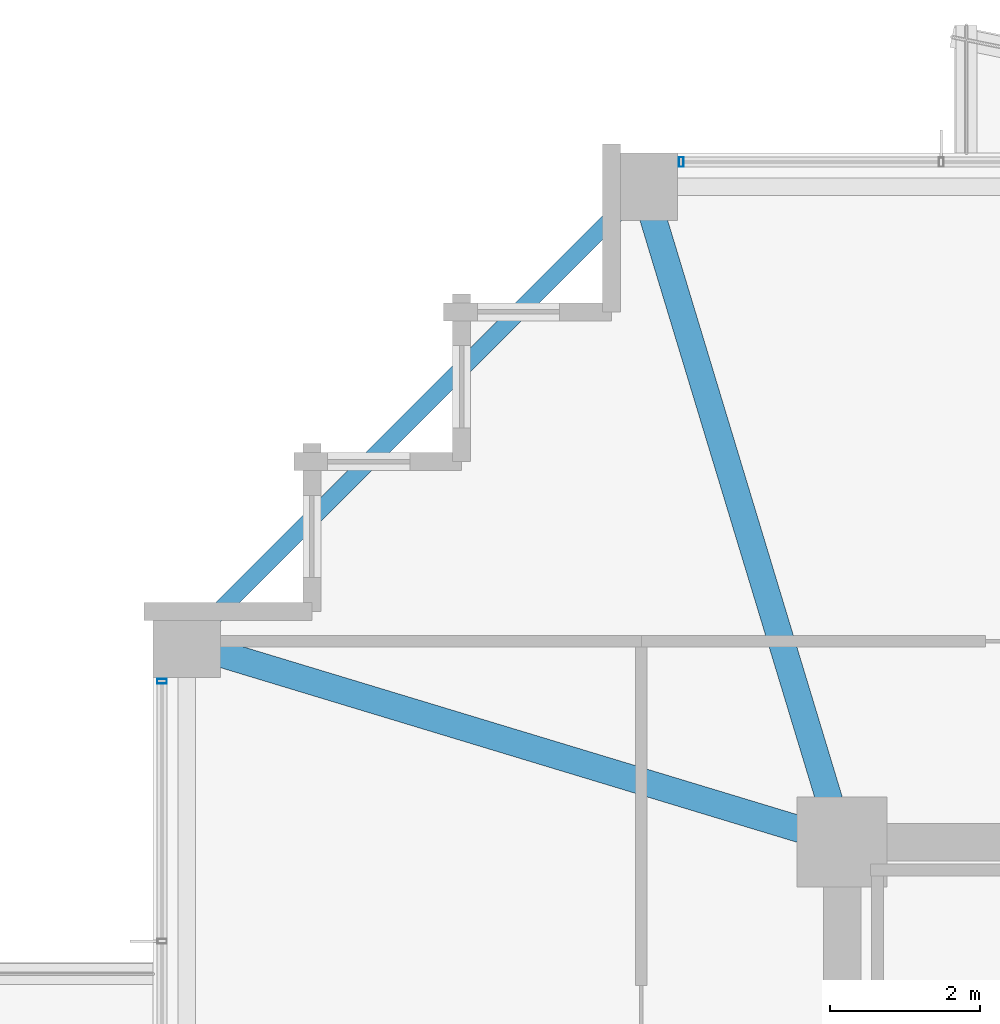
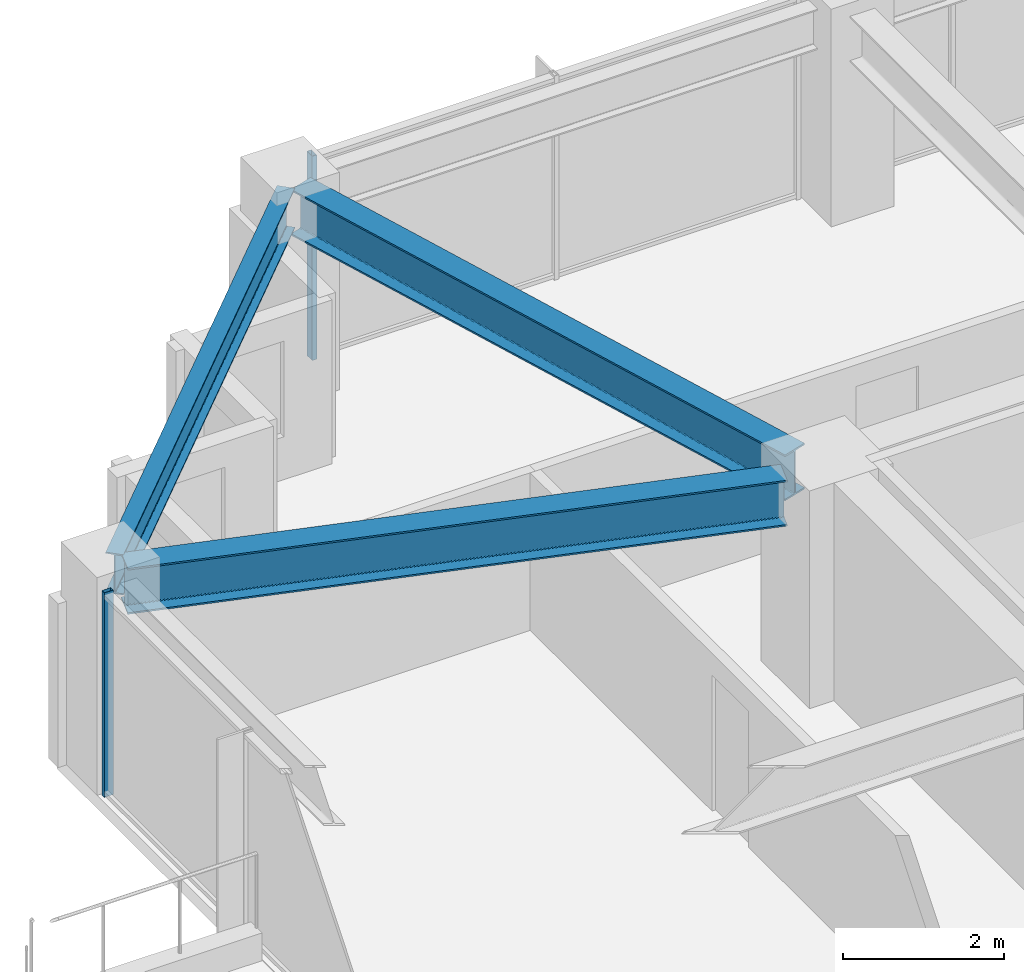
# One storey, part 16 of 34: 3 beams, 2 members, 2 elements without a shape of their own.
"""IFC4 building model written with IfcOpenShell, lengths in metres."""

from ifc_helpers import new_model, si_unit, direction, frame, origin, origin_2d, place, context, subcontext, project, spatial, hollow_rectangle, i_section, extrude, material, material_profile, profile_set, type_object, element, aggregate, save


model = new_model("IFC4")

# Units and contexts
model_context = context("Model", 3, precision=1e-05, world=origin(), true_north=direction((0.0, 1.0)))
body_context = subcontext(model_context, "Body", "Model", "MODEL_VIEW")
ifc_project = project(units=[si_unit("LENGTHUNIT", "METRE"), si_unit("AREAUNIT", "SQUARE_METRE"), si_unit("VOLUMEUNIT", "CUBIC_METRE"), si_unit("PLANEANGLEUNIT", "RADIAN"), si_unit("MASSUNIT", "GRAM", prefix="KILO")], contexts=[model_context])

# Site, building, storey
site_placement = place(None, origin())
site = spatial("IfcSite", under=ifc_project, at=site_placement, CompositionType="ELEMENT")
building_placement = place(site_placement, origin())
building = spatial("IfcBuilding", under=site, at=building_placement, Name="Kolvaren Belvedere", CompositionType="ELEMENT")
storey_placement = place(building_placement, frame((0.0, 0.0, 166.800048828125)))
storey = spatial("IfcBuildingStorey", under=building, at=storey_placement, Name="L48", CompositionType="ELEMENT", Elevation=166.800048828125)

# Beams
ifc_material_1 = material(Name="Structural steel ASTM A992 Grade 50", Category="steel")
ifc_material_profile_1 = material_profile(ifc_material_1, i_section(OverallWidth=0.35498046875, OverallDepth=0.696044921875, WebThickness=0.015380859375, FlangeThickness=0.02490234375, FilletRadius=0.02197265625, at=origin_2d()), Name="W27X146")
ifc_profile_set_1 = profile_set([ifc_material_profile_1], Name="Structural steel ASTM A992 Grade 50")
beam_type_1 = type_object("IfcBeamType", Name="BM-GIRD-W27X146", PredefinedType="BEAM", material=ifc_profile_set_1)
for number, where, z_axis, x_axis, name in (
    (1, (-10.059326171875, 10.426513671875, 2.751953125), (-0.289865629086, 0.957067352423, 0.0), (-0.957067352423, -0.289865629086, 0.0), "L48 Corner Core-to-Perimeter Girder CC4-N1"),
    (2, (-10.426513671875, 10.059326171875, 2.751953125), (-0.957067352423, 0.289865629086, 0.0), (-0.289865629086, -0.957067352423, 0.0), "L48 Corner Core-to-Perimeter Girder CC4-W4"),
):
    element("IfcBeam", number, at=place(storey_placement, frame(where, z_axis=z_axis, x_axis=x_axis)), inside=storey, type_object=beam_type_1, Name=name, PredefinedType="BEAM", context=body_context, shape_type="SweptSolid", body=[
        extrude(i_section(OverallWidth=0.35498046875, OverallDepth=0.696044921875, WebThickness=0.015380859375, FlangeThickness=0.02490234375, FilletRadius=0.02197265625, at=origin_2d()), origin(), (0.0, 0.0, 1.0), 8.412353515625),
    ])
ifc_material_2 = material(Name="Structural steel ASTM A992 Grade 50", Category="steel")
ifc_material_profile_2 = material_profile(ifc_material_2, i_section(OverallWidth=0.22900390625, OverallDepth=0.612060546875, WebThickness=0.011962890625, FlangeThickness=0.01953125, FilletRadius=0.01806640625, at=origin_2d()), Name="W24X84")
ifc_profile_set_2 = profile_set([ifc_material_profile_2], Name="Structural steel ASTM A992 Grade 50")
beam_type_2 = type_object("IfcBeamType", Name="BM-SPAN-W24X84", PredefinedType="SPANDREL", material=ifc_profile_set_2)
beam_placement = place(storey_placement, frame((-12.693115234375, 18.5068359375, 2.7939453125), z_axis=(-0.707106781187, -0.707106781187, 0.0), x_axis=(0.707106781187, -0.707106781187, 0.0)))
element("IfcBeam", 3, at=beam_placement, inside=storey, type_object=beam_type_2, Name="L48 Perimeter Spandrel N1-W4", PredefinedType="SPANDREL", context=body_context, shape_type="SweptSolid", body=[
    extrude(i_section(OverallWidth=0.22900390625, OverallDepth=0.612060546875, WebThickness=0.011962890625, FlangeThickness=0.01953125, FilletRadius=0.01806640625, at=origin_2d()), origin(), (0.0, 0.0, 1.0), 8.221923828125),
])

# Curtain wall, member
ifc_material_3 = material(Name="Anodised pale-metal aluminium AA 6063-T6", Category="aluminium")
curtain_wall_type = type_object("IfcCurtainWallType", Name="CW-Z3-WAIST", PredefinedType="NOTDEFINED", material=ifc_material_3)
curtain_wall_1_placement = place(storey_placement, origin())
curtain_wall_1 = element("IfcCurtainWall", 4, at=curtain_wall_1_placement, inside=storey, type_object=curtain_wall_type, Name="L48 Unitised Curtain Wall FCW-L48-N1-B1", PredefinedType="NOTDEFINED")
ifc_material_4 = material(Name="Anodised pale-metal aluminium AA 6063-T6", Category="aluminium")
ifc_material_profile_3 = material_profile(ifc_material_4, hollow_rectangle(XDim=0.06494140625, YDim=0.1298828125, WallThickness=0.00390625, at=origin_2d()), Name="ALU-MUL-130X65")
ifc_profile_set_3 = profile_set([ifc_material_profile_3], Name="Anodised pale-metal aluminium AA 6063-T6")
member_type = type_object("IfcMemberType", Name="CW-MUL-130", PredefinedType="MULLION", material=ifc_profile_set_3)
member_1_placement = place(storey_placement, frame((-12.047607421875, 18.97998046875, 0.0), z_axis=(0.0, 0.0, 1.0), x_axis=(1.0, 0.0, 0.0)))
member_1 = element("IfcMember", 5, at=member_1_placement, type_object=member_type, Name="FCW-L48-N1-B1 Unitised Mullion 1", PredefinedType="MULLION", context=body_context, shape_type="SweptSolid", body=[
    extrude(hollow_rectangle(XDim=0.06494140625, YDim=0.1298828125, WallThickness=0.00390625, at=origin_2d()), origin(), (0.0, 0.0, 1.0), 3.099853515625),
])
aggregate(curtain_wall_1, [member_1])

curtain_wall_2_placement = place(storey_placement, origin())
curtain_wall_2 = element("IfcCurtainWall", 6, at=curtain_wall_2_placement, inside=storey, type_object=curtain_wall_type, Name="L48 Unitised Curtain Wall FCW-L48-W2", PredefinedType="NOTDEFINED")
member_2_placement = place(storey_placement, frame((-18.97998046875, 12.047607421875, 0.0), z_axis=(0.0, 0.0, 1.0), x_axis=(0.0, 1.0, 0.0)))
member_2 = element("IfcMember", 7, at=member_2_placement, type_object=member_type, Name="FCW-L48-W2 Unitised Mullion 3", PredefinedType="MULLION", context=body_context, shape_type="SweptSolid", body=[
    extrude(hollow_rectangle(XDim=0.06494140625, YDim=0.1298828125, WallThickness=0.00390625, at=origin_2d()), origin(), (0.0, 0.0, 1.0), 3.099853515625),
])
aggregate(curtain_wall_2, [member_2])

save(model, "model.ifc")
